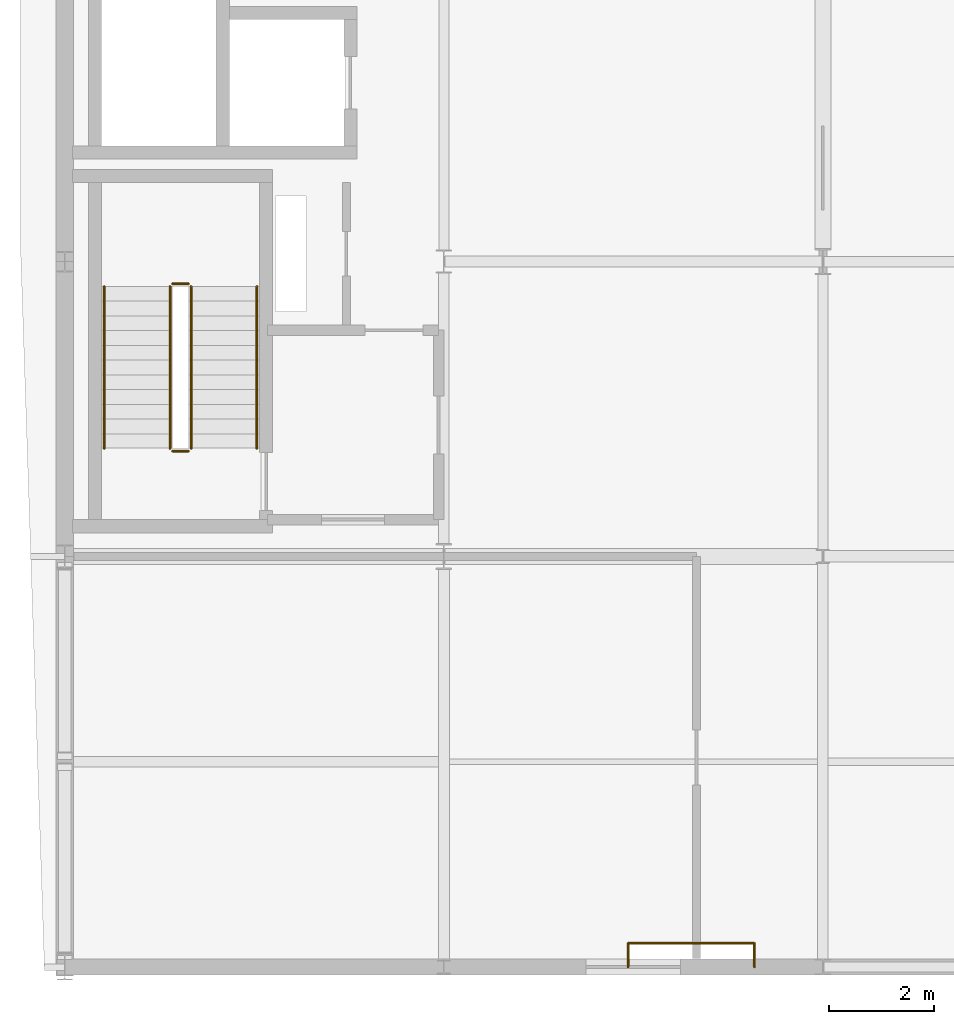
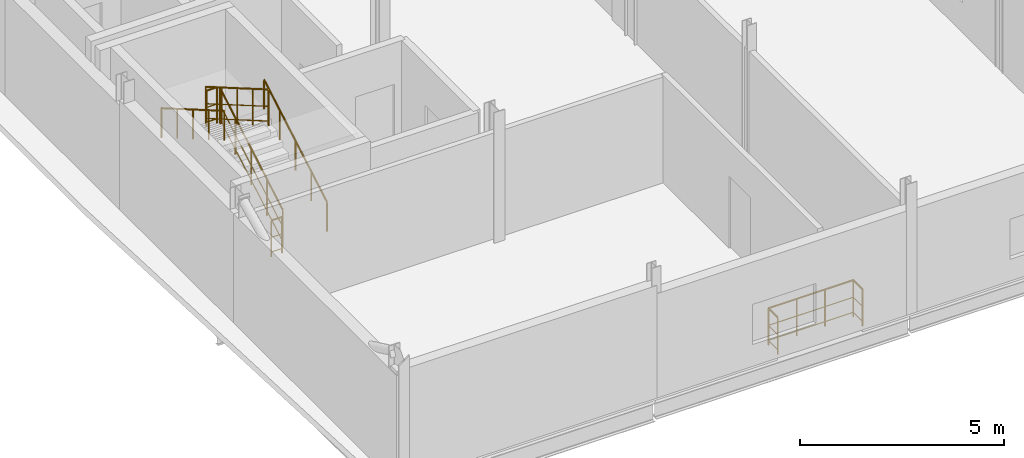
# One storey, part 15 of 16: 9 railings.
"""IFC4 building model written with IfcOpenShell, lengths in metres."""

from ifc_helpers import new_model, si_unit, direction, frame, origin, origin_2d, place, context, subcontext, project, spatial, circle, extrude, material, type_object, element, save


model = new_model("IFC4")

# Units and contexts
model_context = context("Model", 3, precision=1e-05, world=origin(), true_north=direction((0.0, 1.0)))
body_context = subcontext(model_context, "Body", "Model", "MODEL_VIEW")
ifc_project = project(units=[si_unit("LENGTHUNIT", "METRE"), si_unit("AREAUNIT", "SQUARE_METRE"), si_unit("VOLUMEUNIT", "CUBIC_METRE"), si_unit("PLANEANGLEUNIT", "RADIAN"), si_unit("MASSUNIT", "GRAM", prefix="KILO")], contexts=[model_context])

# Site, building, storey
site_placement = place(None, origin())
site = spatial("IfcSite", under=ifc_project, at=site_placement, CompositionType="ELEMENT")
building_placement = place(site_placement, origin())
building = spatial("IfcBuilding", under=site, at=building_placement, Name="Vinh Khe Railworks Police Headquarters", CompositionType="ELEMENT")
storey_placement = place(building_placement, frame((0.0, 0.0, 28.800048828125)))
storey = spatial("IfcBuildingStorey", under=building, at=storey_placement, Name="L07", CompositionType="ELEMENT", Elevation=28.800048828125)

# Railings
ifc_material_1 = material(Name="Painted tubular steel", Category="steel")
railing_type_1 = type_object("IfcRailingType", Name="RL-GUARD-1100", PredefinedType="GUARDRAIL", material=ifc_material_1)
railing_1_placement = place(storey_placement, frame((3.0, 27.25, 0.162353515625)))
element("IfcRailing", 1, at=railing_1_placement, inside=storey, type_object=railing_type_1, Name="L07 ST-01 stair guard 1", PredefinedType="GUARDRAIL", context=body_context, shape_type="SweptSolid", body=[
    extrude(circle(Radius=0.02392578125, at=origin_2d()), frame((0.0, 0.0, 1.076171875), z_axis=(0.0, 0.864890721111, 0.501960198159), x_axis=(-1.0, 0.0, 0.0)), (0.0, 0.0, 1.0), 3.561279296875),
    extrude(circle(Radius=0.01416015625, at=origin_2d()), frame((0.0, 0.0, 0.132080078125), z_axis=(0.0, 0.864890721111, 0.501960198159), x_axis=(-1.0, 0.0, 0.0)), (0.0, 0.0, 1.0), 3.561279296875),
    extrude(circle(Radius=0.01416015625, at=origin_2d()), frame((0.0, 0.0, 0.572021484375), z_axis=(0.0, 0.864890721111, 0.501960198159), x_axis=(-1.0, 0.0, 0.0)), (0.0, 0.0, 1.0), 3.561279296875),
    extrude(circle(Radius=0.02099609375, at=origin_2d()), origin(), (0.0, 0.0, 1.0), 1.052001953125),
    extrude(circle(Radius=0.02099609375, at=origin_2d()), frame((0.0, 0.77001953125, 0.44677734375)), (0.0, 0.0, 1.0), 1.052001953125),
    extrude(circle(Radius=0.02099609375, at=origin_2d()), frame((0.0, 1.5400390625, 0.893798828125)), (0.0, 0.0, 1.0), 1.052001953125),
    extrude(circle(Radius=0.02099609375, at=origin_2d()), frame((0.0, 2.31005859375, 1.3408203125)), (0.0, 0.0, 1.0), 1.052001953125),
    extrude(circle(Radius=0.02099609375, at=origin_2d()), frame((0.0, 3.080078125, 1.78759765625)), (0.0, 0.0, 1.0), 1.052001953125),
])
railing_2_placement = place(storey_placement, frame((2.949951171875, 30.3798828125, 1.949951171875)))
element("IfcRailing", 2, at=railing_2_placement, inside=storey, type_object=railing_type_1, Name="L07 ST-01 stair guard 2", PredefinedType="GUARDRAIL", context=body_context, shape_type="SweptSolid", body=[
    extrude(circle(Radius=0.02392578125, at=origin_2d()), frame((0.0, 0.0, 1.076171875), z_axis=(-1.0, 0.0, 0.0), x_axis=(0.0, -1.0, 0.0)), (0.0, 0.0, 1.0), 0.300048828125),
    extrude(circle(Radius=0.01416015625, at=origin_2d()), frame((0.0, 0.0, 0.132080078125), z_axis=(-1.0, 0.0, 0.0), x_axis=(0.0, -1.0, 0.0)), (0.0, 0.0, 1.0), 0.300048828125),
    extrude(circle(Radius=0.01416015625, at=origin_2d()), frame((0.0, 0.0, 0.572021484375), z_axis=(-1.0, 0.0, 0.0), x_axis=(0.0, -1.0, 0.0)), (0.0, 0.0, 1.0), 0.300048828125),
    extrude(circle(Radius=0.02099609375, at=origin_2d()), origin(), (0.0, 0.0, 1.0), 1.052001953125),
    extrude(circle(Radius=0.02099609375, at=origin_2d()), frame((-0.300048828125, 0.0, 0.0)), (0.0, 0.0, 1.0), 1.052001953125),
])
railing_3_placement = place(storey_placement, frame((2.60009765625, 30.330078125, 2.112548828125)))
element("IfcRailing", 3, at=railing_3_placement, inside=storey, type_object=railing_type_1, Name="L07 ST-01 stair guard 3", PredefinedType="GUARDRAIL", context=body_context, shape_type="SweptSolid", body=[
    extrude(circle(Radius=0.02392578125, at=origin_2d()), frame((0.0, 0.0, 1.076171875), z_axis=(0.0, -0.864920483161, 0.501908913857), x_axis=(1.0, 0.0, 0.0)), (0.0, 0.0, 1.0), 3.56103515625),
    extrude(circle(Radius=0.01416015625, at=origin_2d()), frame((0.0, 0.0, 0.132080078125), z_axis=(0.0, -0.864920483161, 0.501908913857), x_axis=(1.0, 0.0, 0.0)), (0.0, 0.0, 1.0), 3.56103515625),
    extrude(circle(Radius=0.01416015625, at=origin_2d()), frame((0.0, 0.0, 0.572021484375), z_axis=(0.0, -0.864920483161, 0.501908913857), x_axis=(1.0, 0.0, 0.0)), (0.0, 0.0, 1.0), 3.56103515625),
    extrude(circle(Radius=0.02099609375, at=origin_2d()), origin(), (0.0, 0.0, 1.0), 1.052001953125),
    extrude(circle(Radius=0.02099609375, at=origin_2d()), frame((0.0, -0.77001953125, 0.44677734375)), (0.0, 0.0, 1.0), 1.052001953125),
    extrude(circle(Radius=0.02099609375, at=origin_2d()), frame((0.0, -1.5400390625, 0.8935546875)), (0.0, 0.0, 1.0), 1.052001953125),
    extrude(circle(Radius=0.02099609375, at=origin_2d()), frame((0.0, -2.31005859375, 1.340576171875)), (0.0, 0.0, 1.0), 1.052001953125),
    extrude(circle(Radius=0.02099609375, at=origin_2d()), frame((0.0, -3.080078125, 1.787353515625)), (0.0, 0.0, 1.0), 1.052001953125),
])
railing_4_placement = place(storey_placement, frame((2.949951171875, 27.199951171875, 0.0)))
element("IfcRailing", 4, at=railing_4_placement, inside=storey, type_object=railing_type_1, Name="L07 ST-01 stair guard 4", PredefinedType="GUARDRAIL", context=body_context, shape_type="SweptSolid", body=[
    extrude(circle(Radius=0.02392578125, at=origin_2d()), frame((0.0, 0.0, 1.076171875), z_axis=(-1.0, 0.0, 0.0), x_axis=(0.0, -1.0, 0.0)), (0.0, 0.0, 1.0), 0.300048828125),
    extrude(circle(Radius=0.01416015625, at=origin_2d()), frame((0.0, 0.0, 0.132080078125), z_axis=(-1.0, 0.0, 0.0), x_axis=(0.0, -1.0, 0.0)), (0.0, 0.0, 1.0), 0.300048828125),
    extrude(circle(Radius=0.01416015625, at=origin_2d()), frame((0.0, 0.0, 0.572021484375), z_axis=(-1.0, 0.0, 0.0), x_axis=(0.0, -1.0, 0.0)), (0.0, 0.0, 1.0), 0.300048828125),
    extrude(circle(Radius=0.02099609375, at=origin_2d()), origin(), (0.0, 0.0, 1.0), 1.052001953125),
    extrude(circle(Radius=0.02099609375, at=origin_2d()), frame((-0.300048828125, 0.0, 0.0)), (0.0, 0.0, 1.0), 1.052001953125),
])
railing_5_placement = place(storey_placement, frame((11.300048828125, 17.39990234375, 0.0)))
element("IfcRailing", 5, at=railing_5_placement, inside=storey, type_object=railing_type_1, Name="Slab Corner Notch Guard L07-111", PredefinedType="GUARDRAIL", context=body_context, shape_type="SweptSolid", body=[
    extrude(circle(Radius=0.02392578125, at=origin_2d()), frame((0.0, 0.0, 1.09619140625), z_axis=(0.0, 1.0, 0.0), x_axis=(-1.0, 0.0, 0.0)), (0.0, 0.0, 1.0), 0.4501953125),
    extrude(circle(Radius=0.01416015625, at=origin_2d()), frame((0.0, 0.0, 0.134521484375), z_axis=(0.0, 1.0, 0.0), x_axis=(-1.0, 0.0, 0.0)), (0.0, 0.0, 1.0), 0.4501953125),
    extrude(circle(Radius=0.01416015625, at=origin_2d()), frame((0.0, 0.0, 0.58251953125), z_axis=(0.0, 1.0, 0.0), x_axis=(-1.0, 0.0, 0.0)), (0.0, 0.0, 1.0), 0.4501953125),
    extrude(circle(Radius=0.02099609375, at=origin_2d()), origin(), (0.0, 0.0, 1.0), 1.072021484375),
    extrude(circle(Radius=0.02099609375, at=origin_2d()), frame((0.0, 0.4501953125, 0.0)), (0.0, 0.0, 1.0), 1.072021484375),
])
railing_6_placement = place(storey_placement, frame((11.300048828125, 17.85009765625, 0.0)))
element("IfcRailing", 6, at=railing_6_placement, inside=storey, type_object=railing_type_1, Name="Slab Corner Notch Guard L07-112", PredefinedType="GUARDRAIL", context=body_context, shape_type="SweptSolid", body=[
    extrude(circle(Radius=0.02392578125, at=origin_2d()), frame((0.0, 0.0, 1.09619140625), z_axis=(1.0, 0.0, 0.0), x_axis=(0.0, 1.0, 0.0)), (0.0, 0.0, 1.0), 2.39990234375),
    extrude(circle(Radius=0.01416015625, at=origin_2d()), frame((0.0, 0.0, 0.134521484375), z_axis=(1.0, 0.0, 0.0), x_axis=(0.0, 1.0, 0.0)), (0.0, 0.0, 1.0), 2.39990234375),
    extrude(circle(Radius=0.01416015625, at=origin_2d()), frame((0.0, 0.0, 0.58251953125), z_axis=(1.0, 0.0, 0.0), x_axis=(0.0, 1.0, 0.0)), (0.0, 0.0, 1.0), 2.39990234375),
    extrude(circle(Radius=0.02099609375, at=origin_2d()), origin(), (0.0, 0.0, 1.0), 1.072021484375),
    extrude(circle(Radius=0.02099609375, at=origin_2d()), frame((0.800048828125, 0.0, 0.0)), (0.0, 0.0, 1.0), 1.072021484375),
    extrude(circle(Radius=0.02099609375, at=origin_2d()), frame((1.599853515625, 0.0, 0.0)), (0.0, 0.0, 1.0), 1.072021484375),
    extrude(circle(Radius=0.02099609375, at=origin_2d()), frame((2.39990234375, 0.0, 0.0)), (0.0, 0.0, 1.0), 1.072021484375),
])
railing_7_placement = place(storey_placement, frame((13.699951171875, 17.85009765625, 0.0)))
element("IfcRailing", 7, at=railing_7_placement, inside=storey, type_object=railing_type_1, Name="Slab Corner Notch Guard L07-113", PredefinedType="GUARDRAIL", context=body_context, shape_type="SweptSolid", body=[
    extrude(circle(Radius=0.02392578125, at=origin_2d()), frame((0.0, 0.0, 1.09619140625), z_axis=(0.0, -1.0, 0.0), x_axis=(1.0, 0.0, 0.0)), (0.0, 0.0, 1.0), 0.4501953125),
    extrude(circle(Radius=0.01416015625, at=origin_2d()), frame((0.0, 0.0, 0.134521484375), z_axis=(0.0, -1.0, 0.0), x_axis=(1.0, 0.0, 0.0)), (0.0, 0.0, 1.0), 0.4501953125),
    extrude(circle(Radius=0.01416015625, at=origin_2d()), frame((0.0, 0.0, 0.58251953125), z_axis=(0.0, -1.0, 0.0), x_axis=(1.0, 0.0, 0.0)), (0.0, 0.0, 1.0), 0.4501953125),
    extrude(circle(Radius=0.02099609375, at=origin_2d()), origin(), (0.0, 0.0, 1.0), 1.072021484375),
    extrude(circle(Radius=0.02099609375, at=origin_2d()), frame((0.0, -0.4501953125, 0.0)), (0.0, 0.0, 1.0), 1.072021484375),
])
ifc_material_2 = material(Name="Brushed stainless steel", Category="steel")
railing_type_2 = type_object("IfcRailingType", Name="RL-HAND-900", PredefinedType="HANDRAIL", material=ifc_material_2)
railing_8_placement = place(storey_placement, frame((4.25, 27.25, 0.162353515625)))
element("IfcRailing", 8, at=railing_8_placement, inside=storey, type_object=railing_type_2, Name="L07 ST-01 stair handrail 1", PredefinedType="HANDRAIL", context=body_context, shape_type="SweptSolid", body=[
    extrude(circle(Radius=0.02392578125, at=origin_2d()), frame((0.0, 0.0, 0.8759765625), z_axis=(0.0, 0.864890721111, 0.501960198159), x_axis=(-1.0, 0.0, 0.0)), (0.0, 0.0, 1.0), 3.561279296875),
    extrude(circle(Radius=0.02099609375, at=origin_2d()), origin(), (0.0, 0.0, 1.0), 0.851806640625),
    extrude(circle(Radius=0.02099609375, at=origin_2d()), frame((0.0, 0.77001953125, 0.44677734375)), (0.0, 0.0, 1.0), 0.851806640625),
    extrude(circle(Radius=0.02099609375, at=origin_2d()), frame((0.0, 1.5400390625, 0.893798828125)), (0.0, 0.0, 1.0), 0.851806640625),
    extrude(circle(Radius=0.02099609375, at=origin_2d()), frame((0.0, 2.31005859375, 1.3408203125)), (0.0, 0.0, 1.0), 0.851806640625),
    extrude(circle(Radius=0.02099609375, at=origin_2d()), frame((0.0, 3.080078125, 1.78759765625)), (0.0, 0.0, 1.0), 0.851806640625),
])
railing_9_placement = place(storey_placement, frame((1.35009765625, 30.330078125, 2.112548828125)))
element("IfcRailing", 9, at=railing_9_placement, inside=storey, type_object=railing_type_2, Name="L07 ST-01 stair handrail 2", PredefinedType="HANDRAIL", context=body_context, shape_type="SweptSolid", body=[
    extrude(circle(Radius=0.02392578125, at=origin_2d()), frame((0.0, 0.0, 0.8759765625), z_axis=(0.0, -0.864920483161, 0.501908913857), x_axis=(1.0, 0.0, 0.0)), (0.0, 0.0, 1.0), 3.56103515625),
    extrude(circle(Radius=0.02099609375, at=origin_2d()), origin(), (0.0, 0.0, 1.0), 0.851806640625),
    extrude(circle(Radius=0.02099609375, at=origin_2d()), frame((0.0, -0.77001953125, 0.44677734375)), (0.0, 0.0, 1.0), 0.851806640625),
    extrude(circle(Radius=0.02099609375, at=origin_2d()), frame((0.0, -1.5400390625, 0.8935546875)), (0.0, 0.0, 1.0), 0.851806640625),
    extrude(circle(Radius=0.02099609375, at=origin_2d()), frame((0.0, -2.31005859375, 1.340576171875)), (0.0, 0.0, 1.0), 0.851806640625),
    extrude(circle(Radius=0.02099609375, at=origin_2d()), frame((0.0, -3.080078125, 1.787353515625)), (0.0, 0.0, 1.0), 0.851806640625),
])

save(model, "model.ifc")
